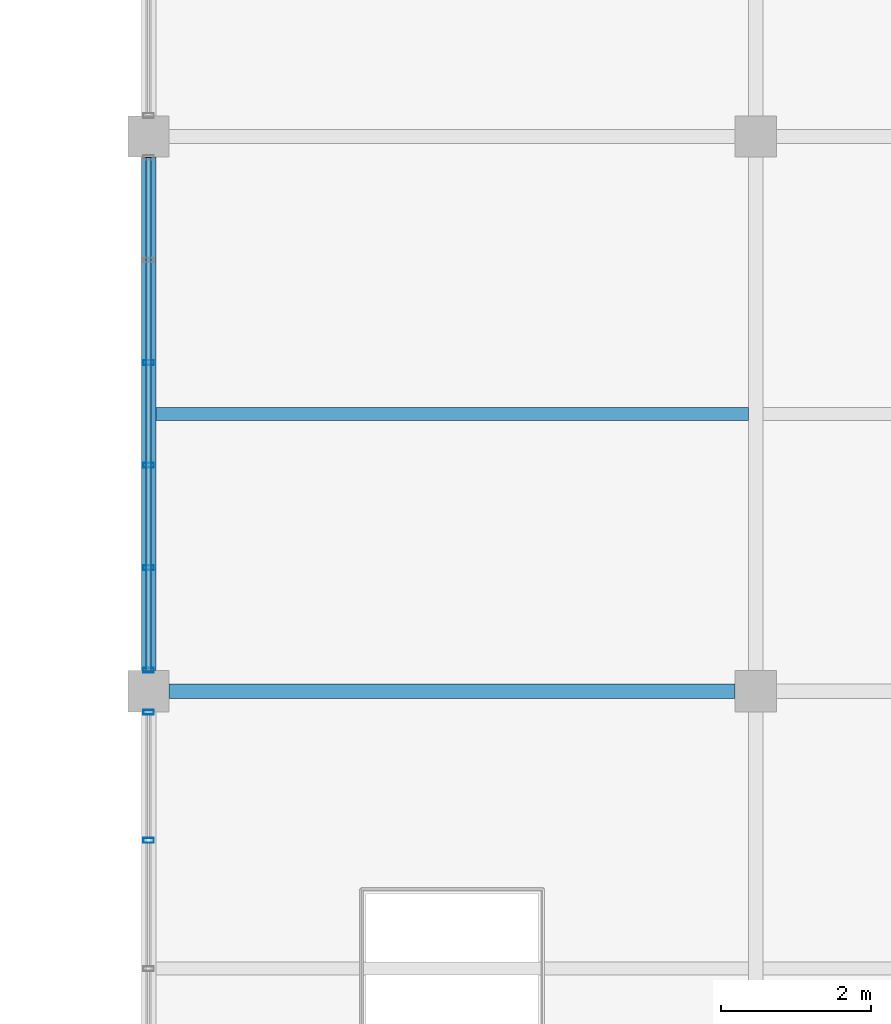
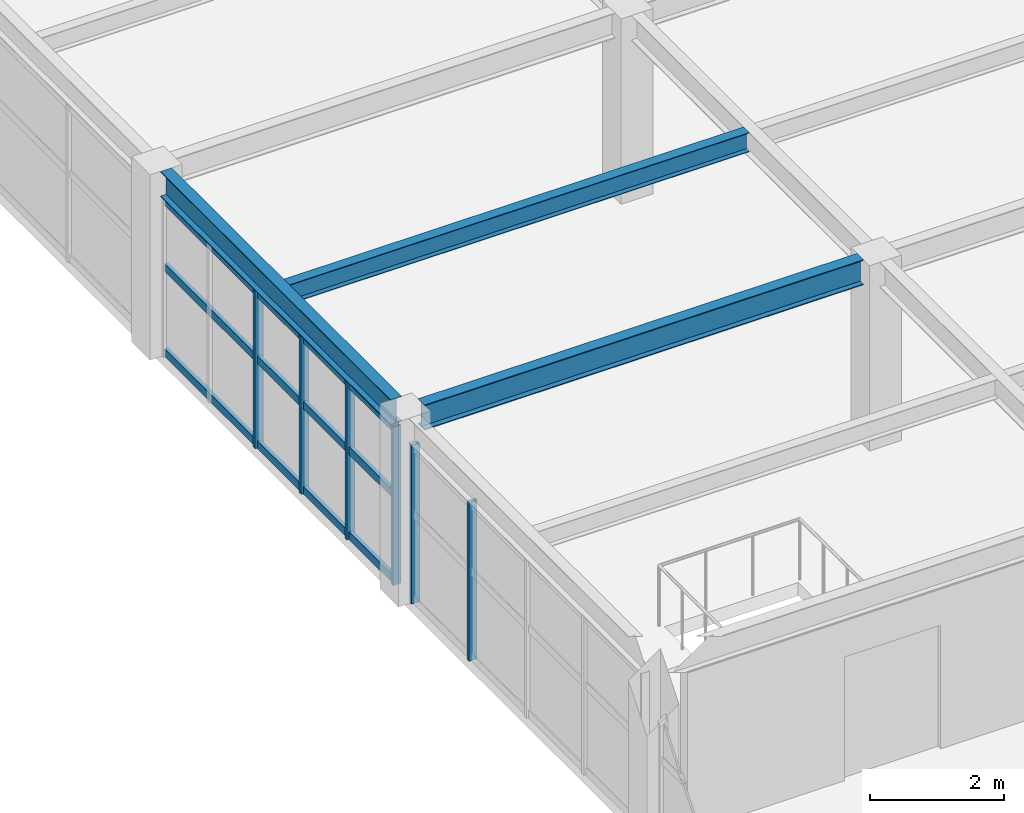
# One storey, part 40 of 121: 9 members, 3 beams, 2 elements without a shape of their own.
"""IFC4 building model written with IfcOpenShell, lengths in metres."""

from ifc_helpers import new_model, si_unit, direction, frame, origin, origin_2d, place, context, subcontext, project, spatial, hollow_rectangle, i_section, extrude, material, material_profile, profile_set, type_object, element, aggregate, save


model = new_model("IFC4")

# Units and contexts
model_context = context("Model", 3, precision=1e-05, world=origin(), true_north=direction((0.0, 1.0)))
body_context = subcontext(model_context, "Body", "Model", "MODEL_VIEW")
ifc_project = project(units=[si_unit("LENGTHUNIT", "METRE"), si_unit("AREAUNIT", "SQUARE_METRE"), si_unit("VOLUMEUNIT", "CUBIC_METRE"), si_unit("PLANEANGLEUNIT", "RADIAN"), si_unit("MASSUNIT", "GRAM", prefix="KILO")], contexts=[model_context])

# Site, building, storey
site_placement = place(None, origin())
site = spatial("IfcSite", under=ifc_project, at=site_placement, CompositionType="ELEMENT")
building_placement = place(site_placement, origin())
building = spatial("IfcBuilding", under=site, at=building_placement, Name="Cimatlan Art Gallery", CompositionType="ELEMENT")
storey_placement = place(building_placement, frame((0.0, 0.0, 10.199951171875)))
storey = spatial("IfcBuildingStorey", under=building, at=storey_placement, Name="L02", CompositionType="ELEMENT", Elevation=10.199951171875)

# Beams
ifc_material_1 = material(Name="Steel ASTM A992 Grade 50", Category="steel")
ifc_material_profile_1 = material_profile(ifc_material_1, i_section(OverallWidth=0.1708984375, OverallDepth=0.35107421875, WebThickness=0.0068359375, FlangeThickness=0.009765625, at=origin_2d()), Name="W14X30")
ifc_profile_set_1 = profile_set([ifc_material_profile_1], Name="Steel ASTM A992 Grade 50")
beam_type_1 = type_object("IfcBeamType", Name="BM-STL-W14X30", PredefinedType="JOIST", material=ifc_profile_set_1)
beam_1_placement = place(storey_placement, frame((115.49560546875, 64.60009765625, 3.194580078125), z_axis=(1.0, 0.0, 0.0), x_axis=(0.0, 1.0, 0.0)))
element("IfcBeam", 1, at=beam_1_placement, inside=storey, type_object=beam_type_1, Name="JST-L02-14-08", PredefinedType="JOIST", context=body_context, shape_type="SweptSolid", body=[
    extrude(i_section(OverallWidth=0.1708984375, OverallDepth=0.35107421875, WebThickness=0.0068359375, FlangeThickness=0.009765625, at=origin_2d()), origin(), (0.0, 0.0, 1.0), 7.908935546875),
])
ifc_material_profile_2 = material_profile(ifc_material_1, i_section(OverallWidth=0.19091796875, OverallDepth=0.45703125, WebThickness=0.009033203125, FlangeThickness=0.014404296875, at=origin_2d()), Name="W18X50")
ifc_profile_set_2 = profile_set([ifc_material_profile_2], Name="Steel ASTM A992 Grade 50")
beam_type_2 = type_object("IfcBeamType", Name="BM-STL-W18X50", PredefinedType="BEAM", material=ifc_profile_set_2)
beam_2_placement = place(storey_placement, frame((115.39990234375, 61.175048828125, 3.1416015625), z_axis=(0.0, 1.0, 0.0), x_axis=(-1.0, 0.0, 0.0)))
element("IfcBeam", 2, at=beam_2_placement, inside=storey, type_object=beam_type_2, Name="BM-Y-L02-14-08", PredefinedType="BEAM", context=body_context, shape_type="SweptSolid", body=[
    extrude(i_section(OverallWidth=0.19091796875, OverallDepth=0.45703125, WebThickness=0.009033203125, FlangeThickness=0.014404296875, at=origin_2d()), origin(), (0.0, 0.0, 1.0), 6.849853515625),
])
beam_3_placement = place(storey_placement, frame((115.675048828125, 60.89990234375, 3.1416015625), z_axis=(1.0, 0.0, 0.0), x_axis=(0.0, 1.0, 0.0)))
element("IfcBeam", 3, at=beam_3_placement, inside=storey, type_object=beam_type_2, Name="BM-X-L02-14-08", PredefinedType="BEAM", context=body_context, shape_type="SweptSolid", body=[
    extrude(i_section(OverallWidth=0.19091796875, OverallDepth=0.45703125, WebThickness=0.009033203125, FlangeThickness=0.014404296875, at=origin_2d()), origin(), (0.0, 0.0, 1.0), 7.550048828125),
])

# Curtain wall, members
ifc_material_2 = material(Name="Anodised bronze unitised curtain wall")
curtain_wall_type_1 = type_object("IfcCurtainWallType", Name="CW-V-06842X02883-B4", PredefinedType="NOTDEFINED", material=ifc_material_2)
curtain_wall_1_placement = place(storey_placement, origin())
curtain_wall_1 = element("IfcCurtainWall", 4, at=curtain_wall_1_placement, inside=storey, type_object=curtain_wall_type_1, Name="CW-L02-14-07-W", PredefinedType="NOTDEFINED")
ifc_material_3 = material(Name="Anodised bronze aluminium 6063-T6", Category="aluminium")
ifc_material_profile_3 = material_profile(ifc_material_3, hollow_rectangle(XDim=0.06494140625, YDim=0.139892578125, WallThickness=0.00390625, at=origin_2d()), Name="ALU65X140X4")
ifc_profile_set_3 = profile_set([ifc_material_profile_3], Name="Anodised bronze aluminium 6063-T6")
member_type_1 = type_object("IfcMemberType", Name="CW-MUL-140", PredefinedType="MULLION", material=ifc_profile_set_3)
member_1_placement = place(storey_placement, frame((115.39990234375, 58.910400390625, 0.0), z_axis=(0.0, 0.0, 1.0), x_axis=(0.0, 1.0, 0.0)))
member_1 = element("IfcMember", 5, at=member_1_placement, type_object=member_type_1, Name="CW-L02-14-07-W-M4", PredefinedType="MULLION", context=body_context, shape_type="SweptSolid", body=[
    extrude(hollow_rectangle(XDim=0.06494140625, YDim=0.139892578125, WallThickness=0.00390625, at=origin_2d()), origin(), (0.0, 0.0, 1.0), 2.883056640625),
])
member_2_placement = place(storey_placement, frame((115.39990234375, 60.62109375, 0.0), z_axis=(0.0, 0.0, 1.0), x_axis=(0.0, 1.0, 0.0)))
member_2 = element("IfcMember", 6, at=member_2_placement, type_object=member_type_1, Name="CW-L02-14-07-W-M5", PredefinedType="MULLION", context=body_context, shape_type="SweptSolid", body=[
    extrude(hollow_rectangle(XDim=0.06494140625, YDim=0.139892578125, WallThickness=0.00390625, at=origin_2d()), origin(), (0.0, 0.0, 1.0), 2.883056640625),
])
aggregate(curtain_wall_1, [member_1, member_2])

curtain_wall_type_2 = type_object("IfcCurtainWallType", Name="CW-V-06842X02868-B5", PredefinedType="NOTDEFINED", material=ifc_material_2)
curtain_wall_2_placement = place(storey_placement, origin())
curtain_wall_2 = element("IfcCurtainWall", 7, at=curtain_wall_2_placement, inside=storey, type_object=curtain_wall_type_2, Name="CW-L02-14-08-W", PredefinedType="NOTDEFINED")
member_3_placement = place(storey_placement, frame((115.39990234375, 61.178955078125, 0.0), z_axis=(0.0, 0.0, 1.0), x_axis=(0.0, 1.0, 0.0)))
member_3 = element("IfcMember", 8, at=member_3_placement, type_object=member_type_1, Name="CW-L02-14-08-W-M1", PredefinedType="MULLION", context=body_context, shape_type="SweptSolid", body=[
    extrude(hollow_rectangle(XDim=0.06494140625, YDim=0.139892578125, WallThickness=0.00390625, at=origin_2d()), origin(), (0.0, 0.0, 1.0), 2.8681640625),
])
member_4_placement = place(storey_placement, frame((115.39990234375, 62.54736328125, 0.0), z_axis=(0.0, 0.0, 1.0), x_axis=(0.0, 1.0, 0.0)))
member_4 = element("IfcMember", 9, at=member_4_placement, type_object=member_type_1, Name="CW-L02-14-08-W-M2", PredefinedType="MULLION", context=body_context, shape_type="SweptSolid", body=[
    extrude(hollow_rectangle(XDim=0.06494140625, YDim=0.139892578125, WallThickness=0.00390625, at=origin_2d()), origin(), (0.0, 0.0, 1.0), 2.8681640625),
])
member_5_placement = place(storey_placement, frame((115.39990234375, 63.915771484375, 0.0), z_axis=(0.0, 0.0, 1.0), x_axis=(0.0, 1.0, 0.0)))
member_5 = element("IfcMember", 10, at=member_5_placement, type_object=member_type_1, Name="CW-L02-14-08-W-M3", PredefinedType="MULLION", context=body_context, shape_type="SweptSolid", body=[
    extrude(hollow_rectangle(XDim=0.06494140625, YDim=0.139892578125, WallThickness=0.00390625, at=origin_2d()), origin(), (0.0, 0.0, 1.0), 2.8681640625),
])
member_6_placement = place(storey_placement, frame((115.39990234375, 65.2841796875, 0.0), z_axis=(0.0, 0.0, 1.0), x_axis=(0.0, 1.0, 0.0)))
member_6 = element("IfcMember", 11, at=member_6_placement, type_object=member_type_1, Name="CW-L02-14-08-W-M4", PredefinedType="MULLION", context=body_context, shape_type="SweptSolid", body=[
    extrude(hollow_rectangle(XDim=0.06494140625, YDim=0.139892578125, WallThickness=0.00390625, at=origin_2d()), origin(), (0.0, 0.0, 1.0), 2.8681640625),
])
ifc_material_profile_4 = material_profile(ifc_material_3, hollow_rectangle(XDim=0.06494140625, YDim=0.139892578125, WallThickness=0.00390625, at=origin_2d()), Name="ALU65X140X4")
ifc_profile_set_4 = profile_set([ifc_material_profile_4], Name="Anodised bronze aluminium 6063-T6")
member_type_2 = type_object("IfcMemberType", Name="CW-TRN-140", PredefinedType="USERDEFINED", material=ifc_profile_set_4)
member_7_placement = place(storey_placement, frame((115.39990234375, 61.178955078125, 0.06005859375), z_axis=(0.0, 1.0, 0.0), x_axis=(-1.0, 0.0, 0.0)))
member_7 = element("IfcMember", 12, at=member_7_placement, type_object=member_type_2, Name="CW-L02-14-08-W-T1", ObjectType="TRANSOM", PredefinedType="USERDEFINED", context=body_context, shape_type="SweptSolid", body=[
    extrude(hollow_rectangle(XDim=0.06494140625, YDim=0.139892578125, WallThickness=0.00390625, at=origin_2d()), origin(), (0.0, 0.0, 1.0), 6.842041015625),
])
member_8_placement = place(storey_placement, frame((115.39990234375, 61.178955078125, 1.606201171875), z_axis=(0.0, 1.0, 0.0), x_axis=(-1.0, 0.0, 0.0)))
member_8 = element("IfcMember", 13, at=member_8_placement, type_object=member_type_2, Name="CW-L02-14-08-W-T2", ObjectType="TRANSOM", PredefinedType="USERDEFINED", context=body_context, shape_type="SweptSolid", body=[
    extrude(hollow_rectangle(XDim=0.06494140625, YDim=0.139892578125, WallThickness=0.00390625, at=origin_2d()), origin(), (0.0, 0.0, 1.0), 6.842041015625),
])
member_9_placement = place(storey_placement, frame((115.39990234375, 61.178955078125, 2.80810546875), z_axis=(0.0, 1.0, 0.0), x_axis=(-1.0, 0.0, 0.0)))
member_9 = element("IfcMember", 14, at=member_9_placement, type_object=member_type_2, Name="CW-L02-14-08-W-T3", ObjectType="TRANSOM", PredefinedType="USERDEFINED", context=body_context, shape_type="SweptSolid", body=[
    extrude(hollow_rectangle(XDim=0.06494140625, YDim=0.139892578125, WallThickness=0.00390625, at=origin_2d()), origin(), (0.0, 0.0, 1.0), 6.842041015625),
])
aggregate(curtain_wall_2, [member_3, member_4, member_5, member_6, member_7, member_8, member_9])

save(model, "model.ifc")
